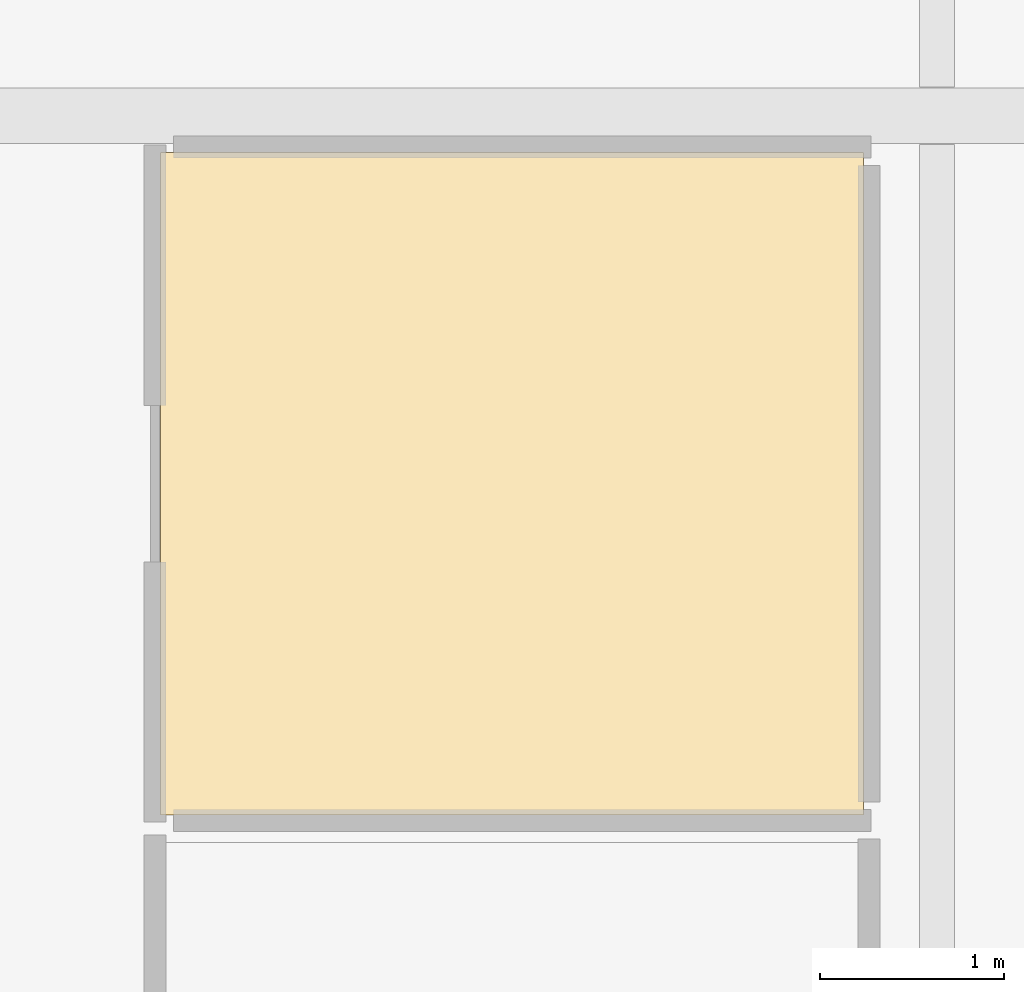
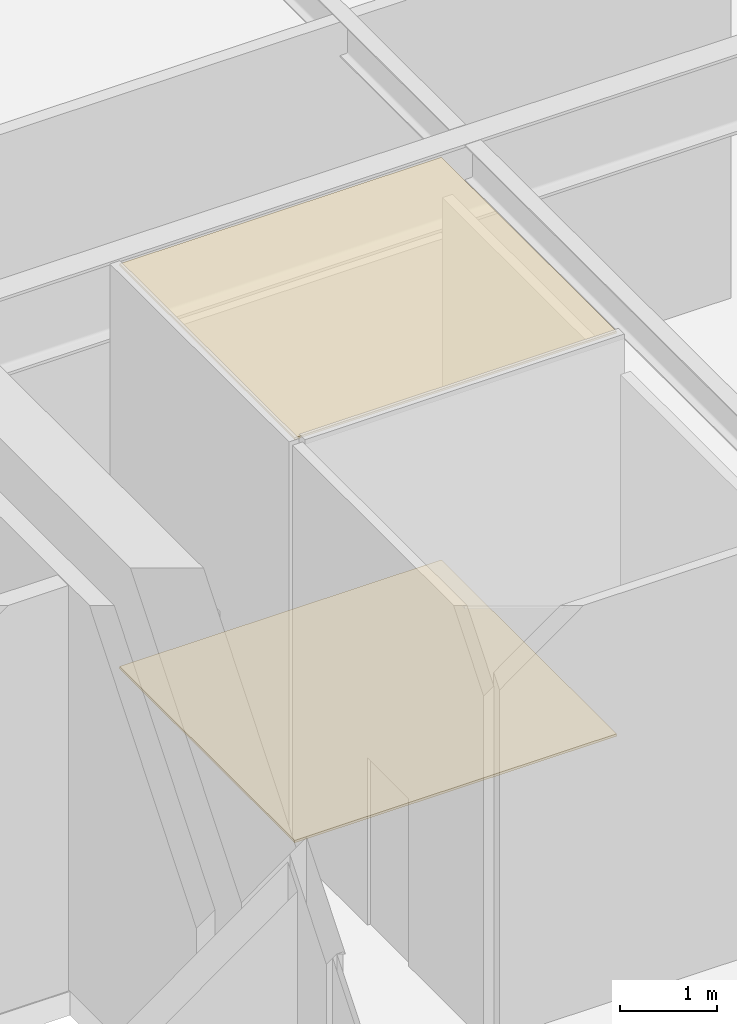
# One storey, part 24 of 24: 2 coverings.
"""IFC4 building model written with IfcOpenShell, lengths in metres."""

from ifc_helpers import new_model, si_unit, direction, frame, origin, place, context, subcontext, project, spatial, polyline, outline, extrude, material, layer, layer_set, type_object, element, save


model = new_model("IFC4")

# Units and contexts
model_context = context("Model", 3, precision=1e-05, world=origin(), true_north=direction((0.0, 1.0)))
body_context = subcontext(model_context, "Body", "Model", "MODEL_VIEW")
ifc_project = project(units=[si_unit("LENGTHUNIT", "METRE"), si_unit("AREAUNIT", "SQUARE_METRE"), si_unit("VOLUMEUNIT", "CUBIC_METRE"), si_unit("PLANEANGLEUNIT", "RADIAN"), si_unit("MASSUNIT", "GRAM", prefix="KILO")], contexts=[model_context])

# Site, building, storey
site_placement = place(None, origin())
site = spatial("IfcSite", under=ifc_project, at=site_placement, CompositionType="ELEMENT")
building_placement = place(site_placement, origin())
building = spatial("IfcBuilding", under=site, at=building_placement, Name="Nefas-Gora Pilgrimage Tower", CompositionType="ELEMENT")
storey_placement = place(building_placement, frame((0.0, 0.0, 11.39990234375)))
storey = spatial("IfcBuildingStorey", under=building, at=storey_placement, Name="L02", CompositionType="ELEMENT", Elevation=11.39990234375)

# Coverings
ifc_material_1 = material(Name="Perforated gypsum acoustic ceiling")
ifc_layer_1 = layer(ifc_material_1, 0.02490234375)
ifc_layer_set_1 = layer_set([ifc_layer_1], Name="Perforated gypsum acoustic ceiling")
covering_type_1 = type_object("IfcCoveringType", Name="COV-CEIL-ACOUST", PredefinedType="CEILING", material=ifc_layer_set_1)
covering_1_placement = place(storey_placement, frame((0.0, 0.0, 5.05517578125)))
element("IfcCovering", 1, at=covering_1_placement, inside=storey, type_object=covering_type_1, Name="L02 Acoustic Suspended Ceiling (L02 Podium Accessible WC)", PredefinedType="CEILING", context=body_context, shape_type="SweptSolid", body=[
    extrude(outline(polyline([(13.780029296875, 8.800048828125), (13.780029296875, 5.199951171875), (17.60009765625, 5.199951171875), (17.60009765625, 8.800048828125), (13.780029296875, 8.800048828125)])), origin(), (0.0, 0.0, 1.0), 0.02490234375),
])
ifc_material_2 = material(Name="Honed granite stone flooring", Category="masonry")
ifc_layer_2 = layer(ifc_material_2, 0.030029296875)
ifc_layer_set_2 = layer_set([ifc_layer_2], Name="Honed granite stone flooring")
covering_type_2 = type_object("IfcCoveringType", Name="COV-FLOR-GRAN", PredefinedType="FLOORING", material=ifc_layer_set_2)
covering_2_placement = place(storey_placement, origin())
element("IfcCovering", 2, at=covering_2_placement, inside=storey, type_object=covering_type_2, Name="L02 Honed Granite Flooring (L02 Podium Accessible WC)", PredefinedType="FLOORING", context=body_context, shape_type="SweptSolid", body=[
    extrude(outline(polyline([(13.780029296875, 8.800048828125), (13.780029296875, 5.199951171875), (17.60009765625, 5.199951171875), (17.60009765625, 8.800048828125), (13.780029296875, 8.800048828125)])), origin(), (0.0, 0.0, 1.0), 0.030029296875),
])

save(model, "model.ifc")
